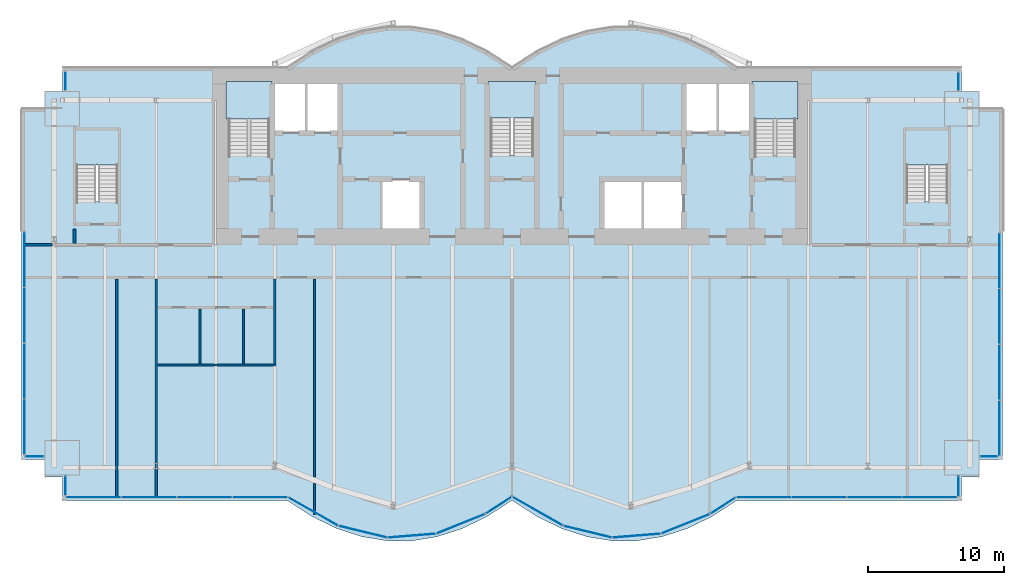
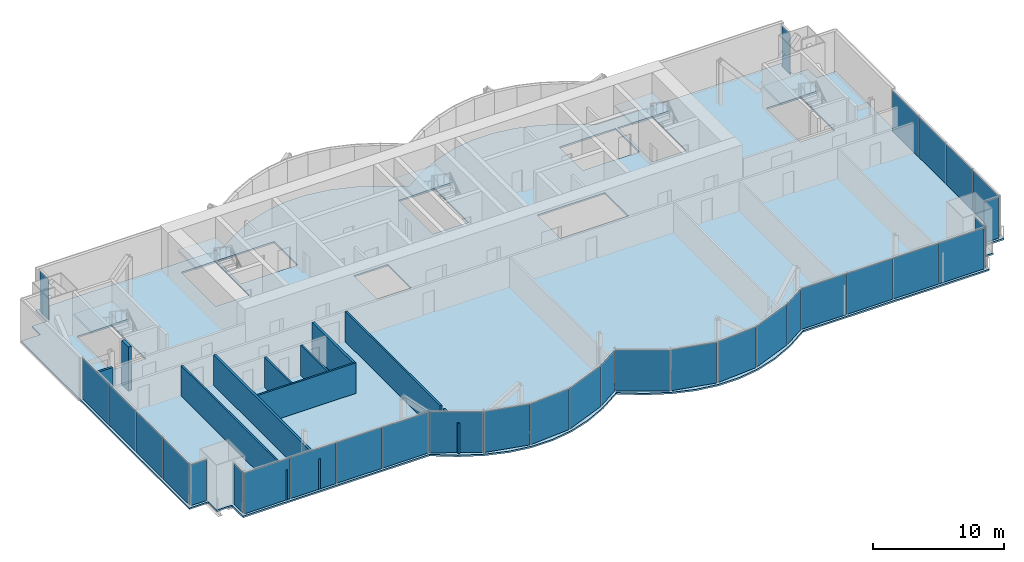
# One storey, part 13 of 20: 32 plates, 10 walls, 6 slabs, 17 elements without a shape of their own.
"""IFC4 building model written with IfcOpenShell, lengths in metres."""

from ifc_helpers import new_model, si_unit, direction, frame, frame_2d, origin, origin_2d, place, context, subcontext, project, spatial, polyline, rectangle, outline, extrude, material, layer, layer_set, type_object, element, aggregate, save


model = new_model("IFC4")

# Units and contexts
model_context = context("Model", 3, precision=1e-05, world=origin(), true_north=direction((0.0, 1.0)))
body_context = subcontext(model_context, "Body", "Model", "MODEL_VIEW")
ifc_project = project(units=[si_unit("LENGTHUNIT", "METRE"), si_unit("AREAUNIT", "SQUARE_METRE"), si_unit("VOLUMEUNIT", "CUBIC_METRE"), si_unit("PLANEANGLEUNIT", "RADIAN"), si_unit("MASSUNIT", "GRAM", prefix="KILO")], contexts=[model_context])

# Site, building, storey
site_placement = place(None, origin())
site = spatial("IfcSite", under=ifc_project, at=site_placement, CompositionType="ELEMENT")
building_placement = place(site_placement, origin())
building = spatial("IfcBuilding", under=site, at=building_placement, Name="Bicima Exchange Tower", CompositionType="ELEMENT")
storey_placement = place(building_placement, frame((0.0, 0.0, 215.5)))
storey = spatial("IfcBuildingStorey", under=building, at=storey_placement, Name="L48", CompositionType="ELEMENT", Elevation=215.5)

# Slab
ifc_material_1 = material(Name="Concrete C40/50", Category="concrete")
ifc_layer_1 = layer(ifc_material_1, 0.14990234375)
ifc_layer_set_1 = layer_set([ifc_layer_1], Name="Concrete C40/50")
slab_type_1 = type_object("IfcSlabType", Name="Composite floor slab 150", PredefinedType="FLOOR", material=ifc_layer_set_1)
slab_1_placement = place(storey_placement, frame((0.0, 0.0, -0.14990234375)))
element("IfcSlab", 1, at=slab_1_placement, inside=storey, type_object=slab_type_1, Name="Floor slab", PredefinedType="FLOOR", context=body_context, shape_type="SweptSolid", body=[
    extrude(outline(polyline([(-36.0, -28.751953125), (-36.0, -3.0), (-34.300048828125, -3.0), (-34.300048828125, -1.699951171875), (-33.0, -1.699951171875), (-33.0, 0.0), (-16.5, 0.0), (-14.666748046875, 1.185302734375), (-12.833251953125, 2.07421875), (-11.0, 2.666748046875), (-9.166748046875, 2.962890625), (-7.333251953125, 2.962890625), (-5.5, 2.666748046875), (-3.666748046875, 2.07421875), (-1.833251953125, 1.185302734375), (0.0, 0.0), (1.833251953125, 1.185302734375), (3.666748046875, 2.07421875), (5.5, 2.666748046875), (7.333251953125, 2.962890625), (9.166748046875, 2.962890625), (11.0, 2.666748046875), (12.833251953125, 2.07421875), (14.666748046875, 1.185302734375), (16.5, 0.0), (33.0, 0.0), (33.0, -1.699951171875), (34.300048828125, -1.699951171875), (34.300048828125, -3.0), (36.0, -3.0), (36.0, -28.751953125), (34.300048828125, -28.751953125), (34.300048828125, -30.052001953125), (33.0, -30.052001953125), (33.0, -31.751953125), (16.5, -31.751953125), (14.666748046875, -32.937255859375), (12.833251953125, -33.826171875), (11.0, -34.418701171875), (9.166748046875, -34.715087890625), (7.333251953125, -34.715087890625), (5.5, -34.418701171875), (3.666748046875, -33.826171875), (1.833251953125, -32.937255859375), (0.0, -31.751953125), (-1.833251953125, -32.937255859375), (-3.666748046875, -33.826171875), (-5.5, -34.418701171875), (-7.333251953125, -34.715087890625), (-9.166748046875, -34.715087890625), (-11.0, -34.418701171875), (-12.833251953125, -33.826171875), (-14.666748046875, -32.937255859375), (-16.5, -31.751953125), (-33.0, -31.751953125), (-33.0, -30.052001953125), (-34.300048828125, -30.052001953125), (-34.300048828125, -28.751953125), (-36.0, -28.751953125)]), holes=[polyline([(-6.60009765625, -11.800048828125), (-6.60009765625, -8.199951171875), (-9.60009765625, -8.199951171875), (-9.60009765625, -11.800048828125), (-6.60009765625, -11.800048828125)]), polyline([(-31.97509765625, -9.824951171875), (-28.925048828125, -9.824951171875), (-28.925048828125, -4.625), (-31.97509765625, -4.625), (-31.97509765625, -9.824951171875)]), polyline([(-20.800048828125, -6.449951171875), (-17.800048828125, -6.449951171875), (-17.800048828125, -1.199951171875), (-20.800048828125, -1.199951171875), (-20.800048828125, -6.449951171875)]), polyline([(1.574951171875, -6.39990234375), (1.574951171875, -1.199951171875), (-1.574951171875, -1.199951171875), (-1.574951171875, -6.39990234375), (1.574951171875, -6.39990234375)]), polyline([(-12.60009765625, -4.800048828125), (-12.60009765625, -1.199951171875), (-15.10009765625, -1.199951171875), (-17.60009765625, -1.199951171875), (-17.60009765625, -4.800048828125), (-15.10009765625, -4.800048828125), (-12.60009765625, -4.800048828125)]), polyline([(12.60009765625, -8.199951171875), (9.60009765625, -8.199951171875), (6.60009765625, -8.199951171875), (6.60009765625, -11.800048828125), (9.60009765625, -11.800048828125), (12.60009765625, -11.800048828125), (12.60009765625, -8.199951171875)]), polyline([(28.925048828125, -9.824951171875), (31.97509765625, -9.824951171875), (31.97509765625, -4.625), (28.925048828125, -4.625), (28.925048828125, -9.824951171875)]), polyline([(20.800048828125, -6.449951171875), (20.800048828125, -1.199951171875), (17.800048828125, -1.199951171875), (17.800048828125, -6.449951171875), (20.800048828125, -6.449951171875)]), polyline([(17.60009765625, -4.800048828125), (17.60009765625, -1.199951171875), (15.10009765625, -1.199951171875), (12.60009765625, -1.199951171875), (12.60009765625, -4.800048828125), (15.10009765625, -4.800048828125), (17.60009765625, -4.800048828125)])]), origin(), (0.0, 0.0, 1.0), 0.14990234375),
])

# Curtain wall, plates
ifc_material_2 = material(Name="Anodised bronze aluminium", Category="aluminium")
curtain_wall_type_1 = type_object("IfcCurtainWallType", Name="End face glass wall", PredefinedType="NOTDEFINED", material=ifc_material_2)
curtain_wall_1_placement = place(storey_placement, origin())
curtain_wall_1 = element("IfcCurtainWall", 2, at=curtain_wall_1_placement, inside=storey, type_object=curtain_wall_type_1, Name="End face glass wall L48 run 2", PredefinedType="NOTDEFINED")
ifc_material_3 = material(Name="Bronze tinted glass", Category="glass")
ifc_layer_2 = layer(ifc_material_3, 0.031982421875)
ifc_layer_set_2 = layer_set([ifc_layer_2], Name="Bronze tinted glass")
plate_type_1 = type_object("IfcPlateType", Name="End face glass wall glass panel 32", PredefinedType="CURTAIN_PANEL", material=ifc_layer_set_2)
plate_1_placement = place(storey_placement, frame((-35.77001953125, -22.268798828125, 0.0), z_axis=(0.0, 0.0, 1.0), x_axis=(0.0, -1.0, 0.0)))
plate_1 = element("IfcPlate", 3, at=plate_1_placement, type_object=plate_type_1, Name="End face glass wall panel 3.1", PredefinedType="CURTAIN_PANEL", context=body_context, shape_type="SweptSolid", body=[
    extrude(rectangle(XDim=4.035400390625, YDim=0.031982421875, at=origin_2d()), origin(), (0.0, 0.0, 1.0), 3.81005859375),
])
plate_2_placement = place(storey_placement, frame((-35.77001953125, -26.3642578125, 0.0), z_axis=(0.0, 0.0, 1.0), x_axis=(0.0, -1.0, 0.0)))
plate_2 = element("IfcPlate", 4, at=plate_2_placement, type_object=plate_type_1, Name="End face glass wall panel 4.1", PredefinedType="CURTAIN_PANEL", context=body_context, shape_type="SweptSolid", body=[
    extrude(rectangle(XDim=4.035400390625, YDim=0.031982421875, at=origin_2d()), origin(), (0.0, 0.0, 1.0), 3.81005859375),
])

curtain_wall_2_placement = place(storey_placement, origin())
curtain_wall_2 = element("IfcCurtainWall", 5, at=curtain_wall_2_placement, inside=storey, type_object=curtain_wall_type_1, Name="End face glass wall L48 run 19", PredefinedType="NOTDEFINED")
plate_3_placement = place(storey_placement, frame((35.77001953125, -26.4443359375, 0.0), z_axis=(0.0, 0.0, 1.0), x_axis=(0.0, 1.0, 0.0)))
plate_3 = element("IfcPlate", 6, at=plate_3_placement, type_object=plate_type_1, Name="End face glass wall panel 1.1", PredefinedType="CURTAIN_PANEL", context=body_context, shape_type="SweptSolid", body=[
    extrude(rectangle(XDim=4.035400390625, YDim=0.031982421875, at=origin_2d()), origin(), (0.0, 0.0, 1.0), 3.81005859375),
])
plate_4_placement = place(storey_placement, frame((35.77001953125, -22.348876953125, 0.0), z_axis=(0.0, 0.0, 1.0), x_axis=(0.0, 1.0, 0.0)))
plate_4 = element("IfcPlate", 7, at=plate_4_placement, type_object=plate_type_1, Name="End face glass wall panel 2.1", PredefinedType="CURTAIN_PANEL", context=body_context, shape_type="SweptSolid", body=[
    extrude(rectangle(XDim=4.035400390625, YDim=0.031982421875, at=origin_2d()), origin(), (0.0, 0.0, 1.0), 3.81005859375),
])

# Plate
ifc_material_4 = material(Name="Bronze anodised aluminium", Category="aluminium")
ifc_layer_3 = layer(ifc_material_4, 0.031982421875)
ifc_layer_set_3 = layer_set([ifc_layer_3], Name="Bronze anodised aluminium")
plate_type_2 = type_object("IfcPlateType", Name="End face glass wall spandrel panel 32", PredefinedType="CURTAIN_PANEL", material=ifc_layer_set_3)
plate_5_placement = place(storey_placement, frame((-35.77001953125, -14.07763671875, 0.0), z_axis=(0.0, 0.0, 1.0), x_axis=(0.0, -1.0, 0.0)))
plate_5 = element("IfcPlate", 8, at=plate_5_placement, type_object=plate_type_2, Name="End face spandrel wall panel 1.1", PredefinedType="CURTAIN_PANEL", context=body_context, shape_type="SweptSolid", body=[
    extrude(rectangle(XDim=4.035400390625, YDim=0.031982421875, at=origin_2d()), origin(), (0.0, 0.0, 1.0), 3.81005859375),
])

plate_6_placement = place(storey_placement, frame((-35.77001953125, -18.17333984375, 0.0), z_axis=(0.0, 0.0, 1.0), x_axis=(0.0, -1.0, 0.0)))
plate_6 = element("IfcPlate", 9, at=plate_6_placement, type_object=plate_type_2, Name="End face spandrel wall panel 2.1", PredefinedType="CURTAIN_PANEL", context=body_context, shape_type="SweptSolid", body=[
    extrude(rectangle(XDim=4.035400390625, YDim=0.031982421875, at=origin_2d()), origin(), (0.0, 0.0, 1.0), 3.81005859375),
])

aggregate(curtain_wall_1, [plate_5, plate_6, plate_1, plate_2])

plate_7_placement = place(storey_placement, frame((35.77001953125, -18.25341796875, 0.0), z_axis=(0.0, 0.0, 1.0), x_axis=(0.0, 1.0, 0.0)))
plate_7 = element("IfcPlate", 10, at=plate_7_placement, type_object=plate_type_2, Name="End face spandrel wall panel 3.1", PredefinedType="CURTAIN_PANEL", context=body_context, shape_type="SweptSolid", body=[
    extrude(rectangle(XDim=4.035400390625, YDim=0.031982421875, at=origin_2d()), origin(), (0.0, 0.0, 1.0), 3.81005859375),
])

plate_8_placement = place(storey_placement, frame((35.77001953125, -14.15771484375, 0.0), z_axis=(0.0, 0.0, 1.0), x_axis=(0.0, 1.0, 0.0)))
plate_8 = element("IfcPlate", 11, at=plate_8_placement, type_object=plate_type_2, Name="End face spandrel wall panel 4.1", PredefinedType="CURTAIN_PANEL", context=body_context, shape_type="SweptSolid", body=[
    extrude(rectangle(XDim=4.035400390625, YDim=0.031982421875, at=origin_2d()), origin(), (0.0, 0.0, 1.0), 3.81005859375),
])

aggregate(curtain_wall_2, [plate_3, plate_4, plate_7, plate_8])

# Curtain wall, plate
curtain_wall_type_2 = type_object("IfcCurtainWallType", Name="Front glass wall", PredefinedType="NOTDEFINED", material=ifc_material_2)
curtain_wall_3_placement = place(storey_placement, origin())
curtain_wall_3 = element("IfcCurtainWall", 12, at=curtain_wall_3_placement, inside=storey, type_object=curtain_wall_type_2, Name="Front glass wall L48 run 1", PredefinedType="NOTDEFINED")
ifc_layer_4 = layer(ifc_material_3, 0.031982421875)
ifc_layer_set_4 = layer_set([ifc_layer_4], Name="Bronze tinted glass")
plate_type_3 = type_object("IfcPlateType", Name="Front glass wall glass panel 32", PredefinedType="CURTAIN_PANEL", material=ifc_layer_set_4)
plate_9_placement = place(storey_placement, frame((-32.77001953125, -0.965087890625, 0.0), z_axis=(0.0, 0.0, 1.0), x_axis=(0.0, -1.0, 0.0)))
plate_9 = element("IfcPlate", 13, at=plate_9_placement, type_object=plate_type_3, Name="Front glass wall panel 1.1", PredefinedType="CURTAIN_PANEL", context=body_context, shape_type="SweptSolid", body=[
    extrude(rectangle(XDim=1.35009765625, YDim=0.031982421875, at=origin_2d()), origin(), (0.0, 0.0, 1.0), 3.81005859375),
])
aggregate(curtain_wall_3, [plate_9])

curtain_wall_4_placement = place(storey_placement, origin())
curtain_wall_4 = element("IfcCurtainWall", 14, at=curtain_wall_4_placement, inside=storey, type_object=curtain_wall_type_2, Name="Front glass wall L48 run 3", PredefinedType="NOTDEFINED")
plate_10_placement = place(storey_placement, frame((-35.034912109375, -28.52197265625, 0.0), z_axis=(0.0, 0.0, 1.0), x_axis=(1.0, 0.0, 0.0)))
plate_10 = element("IfcPlate", 15, at=plate_10_placement, type_object=plate_type_3, Name="Front glass wall panel 1.1", PredefinedType="CURTAIN_PANEL", context=body_context, shape_type="SweptSolid", body=[
    extrude(rectangle(XDim=1.35009765625, YDim=0.031982421875, at=origin_2d()), origin(), (0.0, 0.0, 1.0), 3.81005859375),
])
aggregate(curtain_wall_4, [plate_10])

curtain_wall_5_placement = place(storey_placement, origin())
curtain_wall_5 = element("IfcCurtainWall", 16, at=curtain_wall_5_placement, inside=storey, type_object=curtain_wall_type_2, Name="Front glass wall L48 run 4", PredefinedType="NOTDEFINED")
plate_11_placement = place(storey_placement, frame((-32.77001953125, -30.68603515625, 0.0), z_axis=(0.0, 0.0, 1.0), x_axis=(0.0, -1.0, 0.0)))
plate_11 = element("IfcPlate", 17, at=plate_11_placement, type_object=plate_type_3, Name="Front glass wall panel 1.1", PredefinedType="CURTAIN_PANEL", context=body_context, shape_type="SweptSolid", body=[
    extrude(rectangle(XDim=1.39208984375, YDim=0.031982421875, at=origin_2d()), origin(), (0.0, 0.0, 1.0), 3.81005859375),
])
aggregate(curtain_wall_5, [plate_11])

# Curtain wall, plates
curtain_wall_6_placement = place(storey_placement, origin())
curtain_wall_6 = element("IfcCurtainWall", 18, at=curtain_wall_6_placement, inside=storey, type_object=curtain_wall_type_2, Name="Front glass wall L48 run 5", PredefinedType="NOTDEFINED")
plate_12_placement = place(storey_placement, frame((-30.705322265625, -31.52197265625, 0.0), z_axis=(0.0, 0.0, 1.0), x_axis=(1.0, 0.0, 0.0)))
plate_12 = element("IfcPlate", 19, at=plate_12_placement, type_object=plate_type_3, Name="Front glass wall panel 1.1", PredefinedType="CURTAIN_PANEL", context=body_context, shape_type="SweptSolid", body=[
    extrude(rectangle(XDim=4.009521484375, YDim=0.031982421875, at=origin_2d()), origin(), (0.0, 0.0, 1.0), 3.81005859375),
])
plate_13_placement = place(storey_placement, frame((-26.6357421875, -31.52197265625, 0.0), z_axis=(0.0, 0.0, 1.0), x_axis=(1.0, 0.0, 0.0)))
plate_13 = element("IfcPlate", 20, at=plate_13_placement, type_object=plate_type_3, Name="Front glass wall panel 2.1", PredefinedType="CURTAIN_PANEL", context=body_context, shape_type="SweptSolid", body=[
    extrude(rectangle(XDim=4.009521484375, YDim=0.031982421875, at=origin_2d()), origin(), (0.0, 0.0, 1.0), 3.81005859375),
])
plate_14_placement = place(storey_placement, frame((-22.56640625, -31.52197265625, 0.0), z_axis=(0.0, 0.0, 1.0), x_axis=(1.0, 0.0, 0.0)))
plate_14 = element("IfcPlate", 21, at=plate_14_placement, type_object=plate_type_3, Name="Front glass wall panel 3.1", PredefinedType="CURTAIN_PANEL", context=body_context, shape_type="SweptSolid", body=[
    extrude(rectangle(XDim=4.009521484375, YDim=0.031982421875, at=origin_2d()), origin(), (0.0, 0.0, 1.0), 3.81005859375),
])
plate_15_placement = place(storey_placement, frame((-18.496826171875, -31.52197265625, 0.0), z_axis=(0.0, 0.0, 1.0), x_axis=(1.0, 0.0, 0.0)))
plate_15 = element("IfcPlate", 22, at=plate_15_placement, type_object=plate_type_3, Name="Front glass wall panel 4.1", PredefinedType="CURTAIN_PANEL", context=body_context, shape_type="SweptSolid", body=[
    extrude(rectangle(XDim=4.009521484375, YDim=0.031982421875, at=origin_2d()), origin(), (0.0, 0.0, 1.0), 3.81005859375),
])
aggregate(curtain_wall_6, [plate_12, plate_13, plate_14, plate_15])

curtain_wall_7_placement = place(storey_placement, origin())
curtain_wall_7 = element("IfcCurtainWall", 23, at=curtain_wall_7_placement, inside=storey, type_object=curtain_wall_type_2, Name="Front glass wall L48 run 6", PredefinedType="NOTDEFINED")
plate_16_placement = place(storey_placement, frame((-10.94775390625, -34.048583984375, 0.0), z_axis=(0.0, 0.0, 1.0), x_axis=(0.971830343553, -0.235681529503, 0.0)))
plate_16 = element("IfcPlate", 24, at=plate_16_placement, type_object=plate_type_3, Name="Front glass wall panel 1.1", PredefinedType="CURTAIN_PANEL", context=body_context, shape_type="SweptSolid", body=[
    extrude(rectangle(XDim=3.583251953125, YDim=0.031982421875, at=origin_2d()), origin(), (0.0, 0.0, 1.0), 3.81005859375),
])
plate_17_placement = place(storey_placement, frame((-7.35107421875, -34.339599609375, 0.0), z_axis=(0.0, 0.0, 1.0), x_axis=(0.99674744821, 0.080588612633, 0.0)))
plate_17 = element("IfcPlate", 25, at=plate_17_placement, type_object=plate_type_3, Name="Front glass wall panel 1.1", PredefinedType="CURTAIN_PANEL", context=body_context, shape_type="SweptSolid", body=[
    extrude(rectangle(XDim=3.486083984375, YDim=0.031982421875, at=origin_2d()), origin(), (0.0, 0.0, 1.0), 3.81005859375),
])
plate_18_placement = place(storey_placement, frame((-3.750244140625, -33.46533203125, 0.0), z_axis=(0.0, 0.0, 1.0), x_axis=(0.92714396679, 0.374705304, 0.0)))
plate_18 = element("IfcPlate", 26, at=plate_18_placement, type_object=plate_type_3, Name="Front glass wall panel 1.1", PredefinedType="CURTAIN_PANEL", context=body_context, shape_type="SweptSolid", body=[
    extrude(rectangle(XDim=3.771240234375, YDim=0.031982421875, at=origin_2d()), origin(), (0.0, 0.0, 1.0), 3.81005859375),
])
plate_19_placement = place(storey_placement, frame((-0.97314453125, -32.107177734375, 0.0), z_axis=(0.0, 0.0, 1.0), x_axis=(0.839798994301, 0.542897457326, 0.0)))
plate_19 = element("IfcPlate", 27, at=plate_19_placement, type_object=plate_type_3, Name="Front glass wall panel 1.1", PredefinedType="CURTAIN_PANEL", context=body_context, shape_type="SweptSolid", body=[
    extrude(rectangle(XDim=2.197509765625, YDim=0.031982421875, at=origin_2d()), origin(), (0.0, 0.0, 1.0), 3.81005859375),
])

curtain_wall_8_placement = place(storey_placement, origin())
curtain_wall_8 = element("IfcCurtainWall", 28, at=curtain_wall_8_placement, inside=storey, type_object=curtain_wall_type_2, Name="Front glass wall L48 run 11", PredefinedType="NOTDEFINED")
plate_20_placement = place(storey_placement, frame((1.876220703125, -32.545166015625, 0.0), z_axis=(0.0, 0.0, 1.0), x_axis=(0.869274147378, -0.494330311331, 0.0)))
plate_20 = element("IfcPlate", 29, at=plate_20_placement, type_object=plate_type_3, Name="Front glass wall panel 1.1", PredefinedType="CURTAIN_PANEL", context=body_context, shape_type="SweptSolid", body=[
    extrude(rectangle(XDim=4.197021484375, YDim=0.031982421875, at=origin_2d()), origin(), (0.0, 0.0, 1.0), 3.81005859375),
])
plate_21_placement = place(storey_placement, frame((5.55224609375, -34.048583984375, 0.0), z_axis=(0.0, 0.0, 1.0), x_axis=(0.971830343553, -0.235681529503, 0.0)))
plate_21 = element("IfcPlate", 30, at=plate_21_placement, type_object=plate_type_3, Name="Front glass wall panel 1.1", PredefinedType="CURTAIN_PANEL", context=body_context, shape_type="SweptSolid", body=[
    extrude(rectangle(XDim=3.583251953125, YDim=0.031982421875, at=origin_2d()), origin(), (0.0, 0.0, 1.0), 3.81005859375),
])
plate_22_placement = place(storey_placement, frame((9.14892578125, -34.339599609375, 0.0), z_axis=(0.0, 0.0, 1.0), x_axis=(0.99674744821, 0.080588612633, 0.0)))
plate_22 = element("IfcPlate", 31, at=plate_22_placement, type_object=plate_type_3, Name="Front glass wall panel 1.1", PredefinedType="CURTAIN_PANEL", context=body_context, shape_type="SweptSolid", body=[
    extrude(rectangle(XDim=3.486083984375, YDim=0.031982421875, at=origin_2d()), origin(), (0.0, 0.0, 1.0), 3.81005859375),
])
plate_23_placement = place(storey_placement, frame((15.492919921875, -32.129150390625, 0.0), z_axis=(0.0, 0.0, 1.0), x_axis=(0.839791413941, 0.542909183079, 0.0)))
plate_23 = element("IfcPlate", 32, at=plate_23_placement, type_object=plate_type_3, Name="Front glass wall panel 1.1", PredefinedType="CURTAIN_PANEL", context=body_context, shape_type="SweptSolid", body=[
    extrude(rectangle(XDim=2.11669921875, YDim=0.031982421875, at=origin_2d()), origin(), (0.0, 0.0, 1.0), 3.81005859375),
])

curtain_wall_9_placement = place(storey_placement, origin())
curtain_wall_9 = element("IfcCurtainWall", 33, at=curtain_wall_9_placement, inside=storey, type_object=curtain_wall_type_2, Name="Front glass wall L48 run 16", PredefinedType="NOTDEFINED")
plate_24_placement = place(storey_placement, frame((18.48681640625, -31.52197265625, 0.0), z_axis=(0.0, 0.0, 1.0), x_axis=(1.0, 0.0, 0.0)))
plate_24 = element("IfcPlate", 34, at=plate_24_placement, type_object=plate_type_3, Name="Front glass wall panel 1.1", PredefinedType="CURTAIN_PANEL", context=body_context, shape_type="SweptSolid", body=[
    extrude(rectangle(XDim=3.989501953125, YDim=0.031982421875, at=origin_2d()), origin(), (0.0, 0.0, 1.0), 3.81005859375),
])
plate_25_placement = place(storey_placement, frame((22.536376953125, -31.52197265625, 0.0), z_axis=(0.0, 0.0, 1.0), x_axis=(1.0, 0.0, 0.0)))
plate_25 = element("IfcPlate", 35, at=plate_25_placement, type_object=plate_type_3, Name="Front glass wall panel 2.1", PredefinedType="CURTAIN_PANEL", context=body_context, shape_type="SweptSolid", body=[
    extrude(rectangle(XDim=3.989501953125, YDim=0.031982421875, at=origin_2d()), origin(), (0.0, 0.0, 1.0), 3.81005859375),
])
plate_26_placement = place(storey_placement, frame((26.585693359375, -31.52197265625, 0.0), z_axis=(0.0, 0.0, 1.0), x_axis=(1.0, 0.0, 0.0)))
plate_26 = element("IfcPlate", 36, at=plate_26_placement, type_object=plate_type_3, Name="Front glass wall panel 3.1", PredefinedType="CURTAIN_PANEL", context=body_context, shape_type="SweptSolid", body=[
    extrude(rectangle(XDim=3.989501953125, YDim=0.031982421875, at=origin_2d()), origin(), (0.0, 0.0, 1.0), 3.81005859375),
])
plate_27_placement = place(storey_placement, frame((30.63525390625, -31.52197265625, 0.0), z_axis=(0.0, 0.0, 1.0), x_axis=(1.0, 0.0, 0.0)))
plate_27 = element("IfcPlate", 37, at=plate_27_placement, type_object=plate_type_3, Name="Front glass wall panel 4.1", PredefinedType="CURTAIN_PANEL", context=body_context, shape_type="SweptSolid", body=[
    extrude(rectangle(XDim=3.989501953125, YDim=0.031982421875, at=origin_2d()), origin(), (0.0, 0.0, 1.0), 3.81005859375),
])
aggregate(curtain_wall_9, [plate_24, plate_25, plate_26, plate_27])

# Curtain wall, plate
curtain_wall_10_placement = place(storey_placement, origin())
curtain_wall_10 = element("IfcCurtainWall", 38, at=curtain_wall_10_placement, inside=storey, type_object=curtain_wall_type_2, Name="Front glass wall L48 run 17", PredefinedType="NOTDEFINED")
plate_28_placement = place(storey_placement, frame((32.77001953125, -30.72607421875, 0.0), z_axis=(0.0, 0.0, 1.0), x_axis=(0.0, 1.0, 0.0)))
plate_28 = element("IfcPlate", 39, at=plate_28_placement, type_object=plate_type_3, Name="Front glass wall panel 1.1", PredefinedType="CURTAIN_PANEL", context=body_context, shape_type="SweptSolid", body=[
    extrude(rectangle(XDim=1.471923828125, YDim=0.031982421875, at=origin_2d()), origin(), (0.0, 0.0, 1.0), 3.81005859375),
])
aggregate(curtain_wall_10, [plate_28])

curtain_wall_11_placement = place(storey_placement, origin())
curtain_wall_11 = element("IfcCurtainWall", 40, at=curtain_wall_11_placement, inside=storey, type_object=curtain_wall_type_2, Name="Front glass wall L48 run 18", PredefinedType="NOTDEFINED")
plate_29_placement = place(storey_placement, frame((34.9951171875, -28.52197265625, 0.0), z_axis=(0.0, 0.0, 1.0), x_axis=(1.0, 0.0, 0.0)))
plate_29 = element("IfcPlate", 41, at=plate_29_placement, type_object=plate_type_3, Name="Front glass wall panel 1.1", PredefinedType="CURTAIN_PANEL", context=body_context, shape_type="SweptSolid", body=[
    extrude(rectangle(XDim=1.27001953125, YDim=0.031982421875, at=origin_2d()), origin(), (0.0, 0.0, 1.0), 3.81005859375),
])
aggregate(curtain_wall_11, [plate_29])

curtain_wall_12_placement = place(storey_placement, origin())
curtain_wall_12 = element("IfcCurtainWall", 42, at=curtain_wall_12_placement, inside=storey, type_object=curtain_wall_type_2, Name="Front glass wall L48 run 20", PredefinedType="NOTDEFINED")
plate_30_placement = place(storey_placement, frame((32.77001953125, -1.0048828125, 0.0), z_axis=(0.0, 0.0, 1.0), x_axis=(0.0, 1.0, 0.0)))
plate_30 = element("IfcPlate", 43, at=plate_30_placement, type_object=plate_type_3, Name="Front glass wall panel 1.1", PredefinedType="CURTAIN_PANEL", context=body_context, shape_type="SweptSolid", body=[
    extrude(rectangle(XDim=1.27001953125, YDim=0.031982421875, at=origin_2d()), origin(), (0.0, 0.0, 1.0), 3.81005859375),
])
aggregate(curtain_wall_12, [plate_30])

# Plate
ifc_layer_5 = layer(ifc_material_4, 0.031982421875)
ifc_layer_set_5 = layer_set([ifc_layer_5], Name="Bronze anodised aluminium")
plate_type_4 = type_object("IfcPlateType", Name="Front glass wall spandrel panel 32", PredefinedType="CURTAIN_PANEL", material=ifc_layer_set_5)
plate_31_placement = place(storey_placement, frame((-14.589599609375, -32.567138671875, 0.0), z_axis=(0.0, 0.0, 1.0), x_axis=(0.869805110681, -0.493395449343, 0.0)))
plate_31 = element("IfcPlate", 44, at=plate_31_placement, type_object=plate_type_4, Name="Front spandrel wall panel 1.1", PredefinedType="CURTAIN_PANEL", context=body_context, shape_type="SweptSolid", body=[
    extrude(rectangle(XDim=4.1162109375, YDim=0.031982421875, at=origin_2d()), origin(), (0.0, 0.0, 1.0), 3.81005859375),
])

aggregate(curtain_wall_7, [plate_31, plate_16, plate_17, plate_18, plate_19])

plate_32_placement = place(storey_placement, frame((12.749755859375, -33.46533203125, 0.0), z_axis=(0.0, 0.0, 1.0), x_axis=(0.92714396679, 0.374705304, 0.0)))
plate_32 = element("IfcPlate", 45, at=plate_32_placement, type_object=plate_type_4, Name="Front spandrel wall panel 1.1", PredefinedType="CURTAIN_PANEL", context=body_context, shape_type="SweptSolid", body=[
    extrude(rectangle(XDim=3.771240234375, YDim=0.031982421875, at=origin_2d()), origin(), (0.0, 0.0, 1.0), 3.81005859375),
])

aggregate(curtain_wall_8, [plate_20, plate_21, plate_22, plate_32, plate_23])

# Stair, slab
ifc_material_5 = material(Name="Concrete C50/60", Category="concrete")
stair_type_1 = type_object("IfcStairType", Name="Exit stair", PredefinedType="HALF_TURN_STAIR", material=ifc_material_5)
stair_1_placement = place(storey_placement, origin())
stair_1 = element("IfcStair", 46, at=stair_1_placement, inside=storey, type_object=stair_type_1, Name="L48 West exit stair", PredefinedType="HALF_TURN_STAIR")
ifc_layer_6 = layer(ifc_material_5, 0.199951171875)
ifc_layer_set_6 = layer_set([ifc_layer_6], Name="Concrete C50/60")
slab_type_2 = type_object("IfcSlabType", Name="Stair landing slab", PredefinedType="LANDING", material=ifc_layer_set_6)
slab_2_placement = place(storey_placement, frame((0.0, 0.0, 1.85009765625)))
slab_2 = element("IfcSlab", 47, at=slab_2_placement, type_object=slab_type_2, Name="ST-W landing 1", PredefinedType="LANDING", context=body_context, shape_type="SweptSolid", body=[
    extrude(outline(polyline([(-17.60009765625, -3.75), (-17.60009765625, -1.0), (-21.0, -1.0), (-21.0, -3.75), (-17.60009765625, -3.75)])), origin(), (0.0, 0.0, 1.0), 0.199951171875),
])
aggregate(stair_1, [slab_2])

stair_type_2 = type_object("IfcStairType", Name="Exit stair 1500", PredefinedType="HALF_TURN_STAIR", material=ifc_material_5)
stair_2_placement = place(storey_placement, origin())
stair_2 = element("IfcStair", 48, at=stair_2_placement, inside=storey, type_object=stair_type_2, Name="L48 Central exit stair", PredefinedType="HALF_TURN_STAIR")
slab_3_placement = place(storey_placement, frame((0.0, 0.0, 1.85009765625)))
slab_3 = element("IfcSlab", 49, at=slab_3_placement, type_object=slab_type_2, Name="ST-C landing 1", PredefinedType="LANDING", context=body_context, shape_type="SweptSolid", body=[
    extrude(outline(polyline([(1.77490234375, -3.699951171875), (1.77490234375, -1.0), (-1.77490234375, -1.0), (-1.77490234375, -3.699951171875), (1.77490234375, -3.699951171875)])), origin(), (0.0, 0.0, 1.0), 0.199951171875),
])
aggregate(stair_2, [slab_3])

stair_3_placement = place(storey_placement, origin())
stair_3 = element("IfcStair", 50, at=stair_3_placement, inside=storey, type_object=stair_type_1, Name="L48 East exit stair", PredefinedType="HALF_TURN_STAIR")
slab_4_placement = place(storey_placement, frame((0.0, 0.0, 1.85009765625)))
slab_4 = element("IfcSlab", 51, at=slab_4_placement, type_object=slab_type_2, Name="ST-E landing 1", PredefinedType="LANDING", context=body_context, shape_type="SweptSolid", body=[
    extrude(outline(polyline([(21.0, -3.75), (21.0, -1.0), (17.60009765625, -1.0), (17.60009765625, -3.75), (21.0, -3.75)])), origin(), (0.0, 0.0, 1.0), 0.199951171875),
])
aggregate(stair_3, [slab_4])

stair_4_placement = place(storey_placement, origin())
stair_4 = element("IfcStair", 52, at=stair_4_placement, inside=storey, type_object=stair_type_1, Name="L48 West end exit stair", PredefinedType="HALF_TURN_STAIR")
slab_5_placement = place(storey_placement, frame((0.0, 0.0, 1.85009765625)))
slab_5 = element("IfcSlab", 53, at=slab_5_placement, type_object=slab_type_2, Name="ST-WW landing 1", PredefinedType="LANDING", context=body_context, shape_type="SweptSolid", body=[
    extrude(outline(polyline([(-28.72509765625, -7.125), (-28.72509765625, -4.425048828125), (-32.175048828125, -4.425048828125), (-32.175048828125, -7.125), (-28.72509765625, -7.125)])), origin(), (0.0, 0.0, 1.0), 0.199951171875),
])
aggregate(stair_4, [slab_5])

stair_5_placement = place(storey_placement, origin())
stair_5 = element("IfcStair", 54, at=stair_5_placement, inside=storey, type_object=stair_type_1, Name="L48 East end exit stair", PredefinedType="HALF_TURN_STAIR")
slab_6_placement = place(storey_placement, frame((0.0, 0.0, 1.85009765625)))
slab_6 = element("IfcSlab", 55, at=slab_6_placement, type_object=slab_type_2, Name="ST-EE landing 1", PredefinedType="LANDING", context=body_context, shape_type="SweptSolid", body=[
    extrude(outline(polyline([(32.175048828125, -7.125), (32.175048828125, -4.425048828125), (28.72509765625, -4.425048828125), (28.72509765625, -7.125), (32.175048828125, -7.125)])), origin(), (0.0, 0.0, 1.0), 0.199951171875),
])
aggregate(stair_5, [slab_6])

# Walls
ifc_material_6 = material(Name="Gypsum board partition")
ifc_layer_7 = layer(ifc_material_6, 0.199951171875)
ifc_layer_set_7 = layer_set([ifc_layer_7], Name="Gypsum board partition")
wall_type_1 = type_object("IfcWallType", Name="Fire-rated gypsum partition 200 EI60", PredefinedType="PARTITIONING", material=ifc_layer_set_7)
wall_1_placement = place(storey_placement, frame((-35.679931640625, -13.0, 0.0), z_axis=(0.0, 0.0, 1.0), x_axis=(1.0, 0.0, 0.0)))
element("IfcWall", 56, at=wall_1_placement, inside=storey, type_object=wall_type_1, Name="partition wall 4", PredefinedType="PARTITIONING", context=body_context, shape_type="SweptSolid", body=[
    extrude(rectangle(XDim=1.9599609375, YDim=0.199951171875, at=frame_2d((0.97998046875, 0.0))), origin(), (0.0, 0.0, 1.0), 2.84033203125),
])
wall_2_placement = place(storey_placement, frame((-26.10009765625, -31.5400390625, 0.0), z_axis=(0.0, 0.0, 1.0), x_axis=(0.0, 1.0, 0.0)))
element("IfcWall", 57, at=wall_2_placement, inside=storey, type_object=wall_type_1, Name="partition wall 15", PredefinedType="PARTITIONING", context=body_context, shape_type="SweptSolid", body=[
    extrude(rectangle(XDim=16.0400390625, YDim=0.199951171875, at=frame_2d((8.02001953125, 0.0))), origin(), (0.0, 0.0, 1.0), 2.84033203125),
])
wall_3_placement = place(storey_placement, frame((-17.39990234375, -21.72509765625, 0.0), z_axis=(0.0, 0.0, 1.0), x_axis=(0.0, 1.0, 0.0)))
element("IfcWall", 58, at=wall_3_placement, inside=storey, type_object=wall_type_1, Name="partition wall 18", PredefinedType="PARTITIONING", context=body_context, shape_type="SweptSolid", body=[
    extrude(rectangle(XDim=6.22509765625, YDim=0.199951171875, at=frame_2d((3.112548828125, 0.0))), origin(), (0.0, 0.0, 1.0), 2.84033203125),
])
ifc_layer_8 = layer(ifc_material_6, 0.14990234375)
ifc_layer_set_8 = layer_set([ifc_layer_8], Name="Gypsum board partition")
wall_type_2 = type_object("IfcWallType", Name="Gypsum partition 150", PredefinedType="PARTITIONING", material=ifc_layer_set_8)
wall_4_placement = place(storey_placement, frame((-26.0, -21.800048828125, 0.0), z_axis=(0.0, 0.0, 1.0), x_axis=(1.0, 0.0, 0.0)))
element("IfcWall", 59, at=wall_4_placement, inside=storey, type_object=wall_type_2, Name="partition wall 1", PredefinedType="PARTITIONING", context=body_context, shape_type="SweptSolid", body=[
    extrude(rectangle(XDim=8.699951171875, YDim=0.14990234375, at=frame_2d((4.35009765625, 0.0))), origin(), (0.0, 0.0, 1.0), 2.84033203125),
])
wall_5_placement = place(storey_placement, frame((-29.0, -31.5400390625, 0.0), z_axis=(0.0, 0.0, 1.0), x_axis=(0.0, 1.0, 0.0)))
element("IfcWall", 60, at=wall_5_placement, inside=storey, type_object=wall_type_2, Name="partition wall 13", PredefinedType="PARTITIONING", context=body_context, shape_type="SweptSolid", body=[
    extrude(rectangle(XDim=16.0400390625, YDim=0.14990234375, at=frame_2d((8.02001953125, 0.0))), origin(), (0.0, 0.0, 1.0), 2.84033203125),
])
for number, where, z_axis, x_axis, name in (
    (61, (-22.89990234375, -21.72509765625, 0.0), (0.0, 0.0, 1.0), (0.0, 1.0, 0.0), "partition wall 16"),
    (62, (-19.699951171875, -21.72509765625, 0.0), (0.0, 0.0, 1.0), (0.0, 1.0, 0.0), "partition wall 17"),
):
    element("IfcWall", number, at=place(storey_placement, frame(where, z_axis=z_axis, x_axis=x_axis)), inside=storey, type_object=wall_type_2, Name=name, PredefinedType="PARTITIONING", context=body_context, shape_type="SweptSolid", body=[
        extrude(rectangle(XDim=4.025146484375, YDim=0.14990234375, at=frame_2d((2.0126953125, 0.0))), origin(), (0.0, 0.0, 1.0), 2.84033203125),
    ])
wall_6_placement = place(storey_placement, frame((-14.5, -32.780029296875, 0.0), z_axis=(0.0, 0.0, 1.0), x_axis=(0.0, 1.0, 0.0)))
element("IfcWall", 63, at=wall_6_placement, inside=storey, type_object=wall_type_2, Name="partition wall 19", PredefinedType="PARTITIONING", context=body_context, shape_type="SweptSolid", body=[
    extrude(rectangle(XDim=2.2685546875, YDim=0.14990234375, at=frame_2d((1.13427734375, 0.0))), origin(), (0.0, 0.0, 1.0), 2.84033203125),
])
wall_7_placement = place(storey_placement, frame((-14.5, -30.023681640625, 0.0), z_axis=(0.0, 0.0, 1.0), x_axis=(0.0, 1.0, 0.0)))
element("IfcWall", 64, at=wall_7_placement, inside=storey, type_object=wall_type_2, Name="partition wall 20", PredefinedType="PARTITIONING", context=body_context, shape_type="SweptSolid", body=[
    extrude(rectangle(XDim=14.523681640625, YDim=0.14990234375, at=frame_2d((7.26171875, 0.0))), origin(), (0.0, 0.0, 1.0), 2.84033203125),
])
ifc_layer_9 = layer(ifc_material_5, 0.25)
ifc_layer_set_9 = layer_set([ifc_layer_9], Name="Concrete C50/60")
wall_type_3 = type_object("IfcWallType", Name="RC core wall 250 C50/60", PredefinedType="SHEAR", material=ifc_layer_set_9)
wall_8_placement = place(storey_placement, frame((-32.10009765625, -12.89990234375, 0.0), z_axis=(0.0, 0.0, 1.0), x_axis=(0.0, 1.0, 0.0)))
element("IfcWall", 65, at=wall_8_placement, inside=storey, type_object=wall_type_3, Name="stair wall 12", PredefinedType="SHEAR", context=body_context, shape_type="SweptSolid", body=[
    extrude(rectangle(XDim=1.0498046875, YDim=0.25, at=frame_2d((0.52490234375, 0.0))), origin(), (0.0, 0.0, 1.0), 4.10009765625),
])

save(model, "model.ifc")
